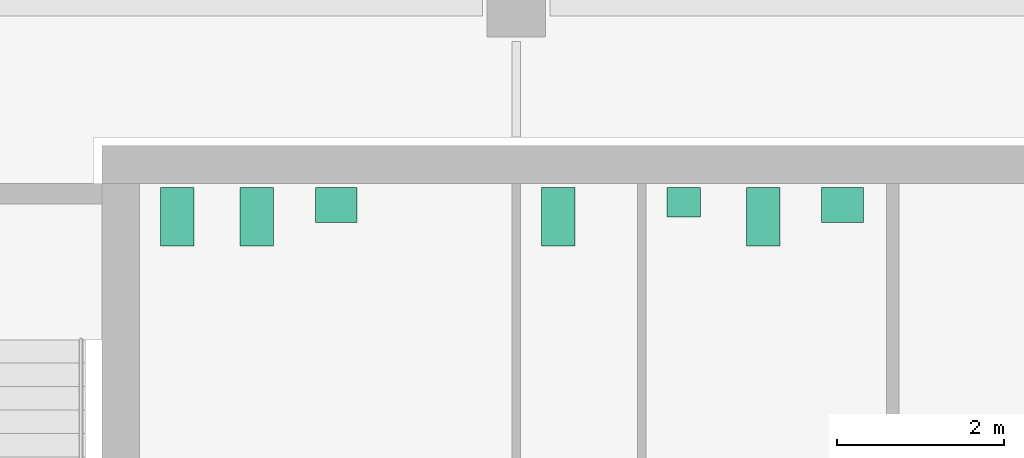
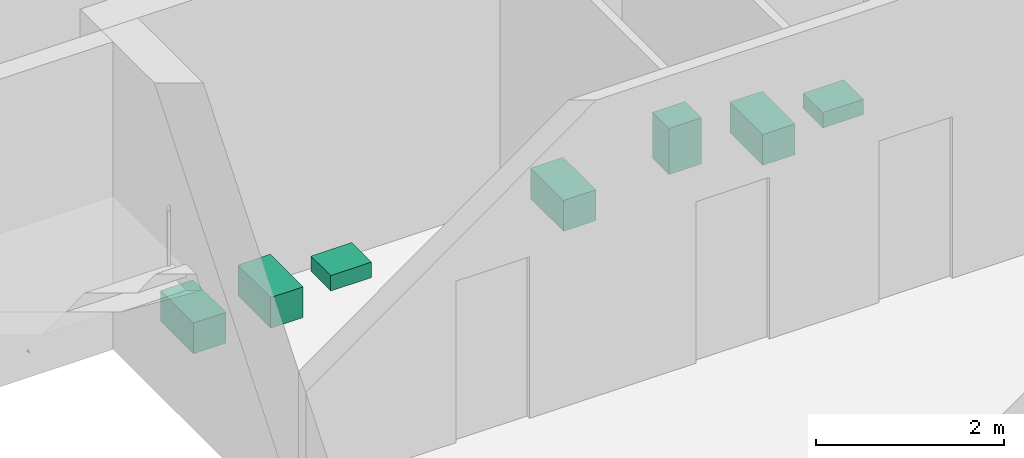
# One storey, part 7 of 7: 7 sanitary terminals.
"""IFC4 building model written with IfcOpenShell, lengths in metres."""

from ifc_helpers import new_model, si_unit, direction, frame, origin, origin_2d, place, context, subcontext, project, spatial, rectangle, extrude, material, type_object, element, save


model = new_model("IFC4")

# Units and contexts
model_context = context("Model", 3, precision=1e-05, world=origin(), true_north=direction((0.0, 1.0)))
body_context = subcontext(model_context, "Body", "Model", "MODEL_VIEW")
ifc_project = project(units=[si_unit("LENGTHUNIT", "METRE"), si_unit("AREAUNIT", "SQUARE_METRE"), si_unit("VOLUMEUNIT", "CUBIC_METRE"), si_unit("PLANEANGLEUNIT", "RADIAN"), si_unit("MASSUNIT", "GRAM", prefix="KILO")], contexts=[model_context])

# Site, building, storey
site_placement = place(None, origin())
site = spatial("IfcSite", under=ifc_project, at=site_placement, CompositionType="ELEMENT")
building_placement = place(site_placement, origin())
building = spatial("IfcBuilding", under=site, at=building_placement, Name="Cinnabar Reach Civic Tower", CompositionType="ELEMENT")
storey_placement = place(building_placement, frame((0.0, 0.0, 247.0)))
storey = spatial("IfcBuildingStorey", under=building, at=storey_placement, Name="L59", CompositionType="ELEMENT", Elevation=247.0)

# Sanitary terminals
ifc_material = material(Name="Vitreous china")
sanitary_terminal_type_1 = type_object("IfcSanitaryTerminalType", Name="T1 WC pan", PredefinedType="TOILETPAN", material=ifc_material)
for number, where, z_axis, x_axis, name in (
    (1, (4.95, 41.6, 0.0), (0.0, 0.0, 1.0), (1.0, 0.0, 0.0), "T1 WC pan 5909-1"),
    (2, (5.9, 41.6, 0.0), (0.0, 0.0, 1.0), (1.0, 0.0, 0.0), "T1 WC pan 5909-2"),
    (3, (9.5, 41.6, 0.0), (0.0, 0.0, 1.0), (1.0, 0.0, 0.0), "T1 WC pan 5910-1"),
    (4, (11.95, 41.6, 0.0), (0.0, 0.0, 1.0), (1.0, 0.0, 0.0), "T1 WC pan 5911-2"),
):
    element("IfcSanitaryTerminal", number, at=place(storey_placement, frame(where, z_axis=z_axis, x_axis=x_axis)), inside=storey, type_object=sanitary_terminal_type_1, Name=name, PredefinedType="TOILETPAN", context=body_context, shape_type="SweptSolid", body=[
        extrude(rectangle(XDim=0.4, YDim=0.7, at=origin_2d()), origin(), (0.0, 0.0, 1.0), 0.4),
    ])
sanitary_terminal_type_2 = type_object("IfcSanitaryTerminalType", Name="T1 urinal", PredefinedType="URINAL", material=ifc_material)
sanitary_terminal_placement = place(storey_placement, frame((11.0, 41.775, 0.0), z_axis=(0.0, 0.0, 1.0), x_axis=(1.0, 0.0, 0.0)))
element("IfcSanitaryTerminal", 5, at=sanitary_terminal_placement, inside=storey, type_object=sanitary_terminal_type_2, Name="T1 urinal 5911-1", PredefinedType="URINAL", context=body_context, shape_type="SweptSolid", body=[
    extrude(rectangle(XDim=0.4, YDim=0.35, at=origin_2d()), origin(), (0.0, 0.0, 1.0), 0.6),
])
sanitary_terminal_type_3 = type_object("IfcSanitaryTerminalType", Name="T1 wash basin", PredefinedType="WASHHANDBASIN", material=ifc_material)
for number, where, z_axis, x_axis, name in (
    (6, (6.85, 41.74, 0.0), (0.0, 0.0, 1.0), (1.0, 0.0, 0.0), "T1 wash basin 5909-3"),
    (7, (12.9, 41.74, 0.0), (0.0, 0.0, 1.0), (1.0, 0.0, 0.0), "T1 wash basin 5911-3"),
):
    element("IfcSanitaryTerminal", number, at=place(storey_placement, frame(where, z_axis=z_axis, x_axis=x_axis)), inside=storey, type_object=sanitary_terminal_type_3, Name=name, PredefinedType="WASHHANDBASIN", context=body_context, shape_type="SweptSolid", body=[
        extrude(rectangle(XDim=0.5, YDim=0.42, at=origin_2d()), origin(), (0.0, 0.0, 1.0), 0.2),
    ])

save(model, "model.ifc")
